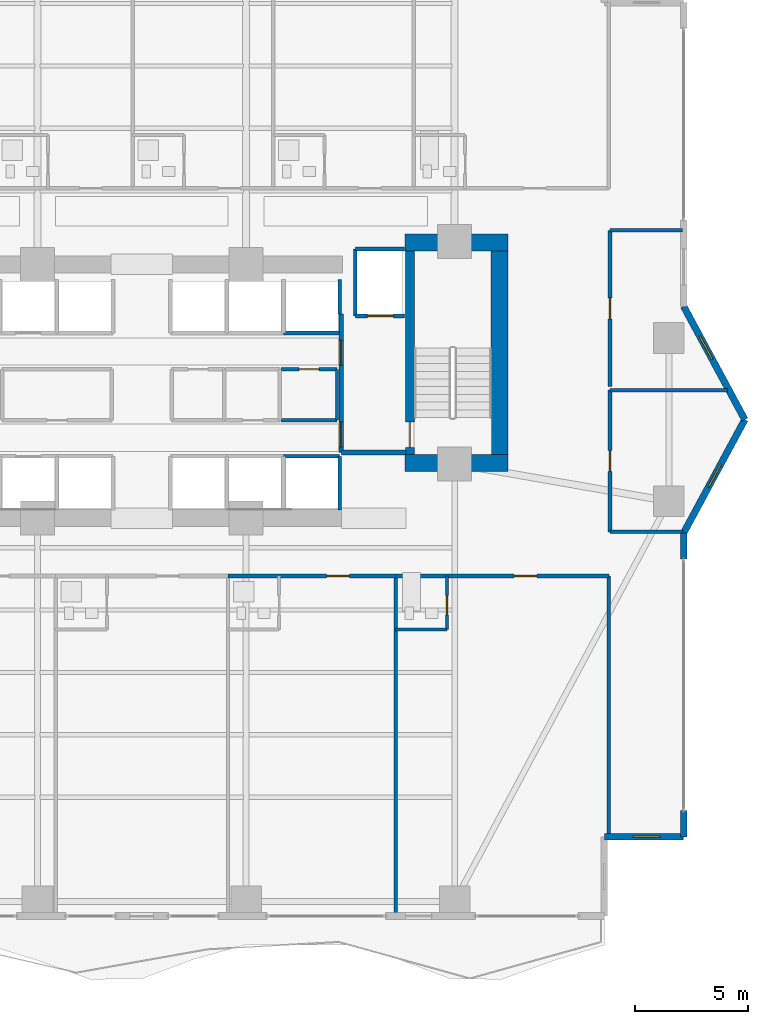
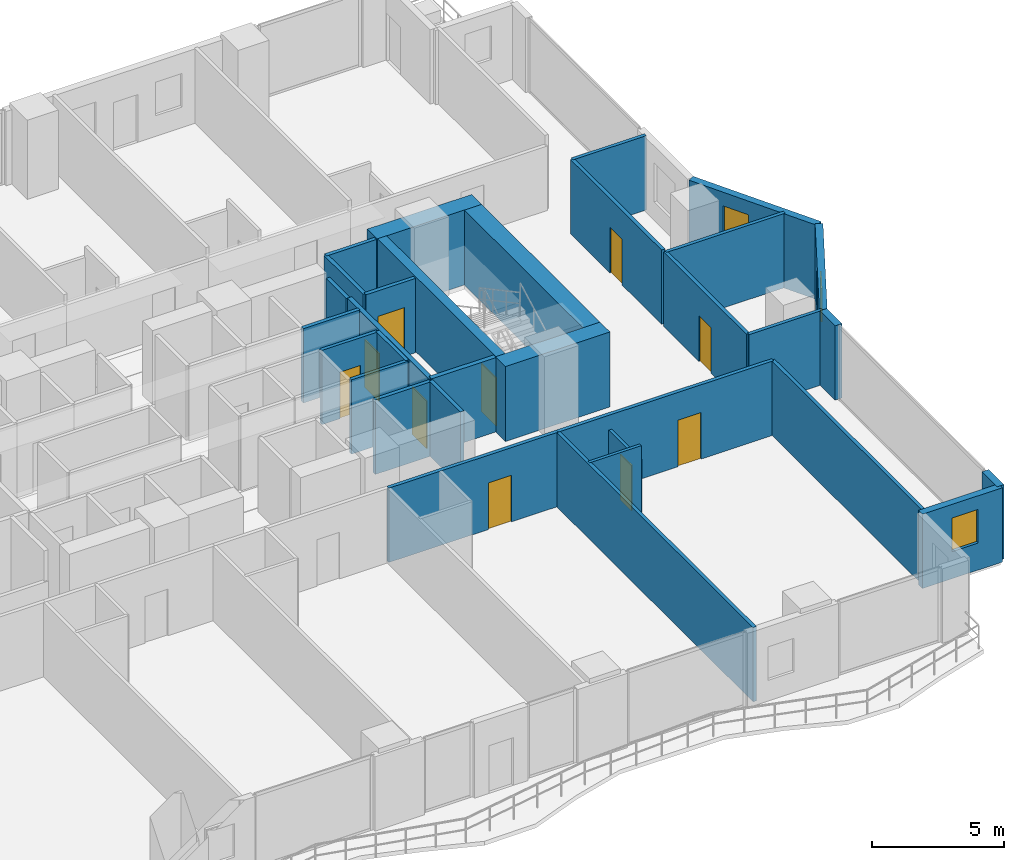
# One storey, part 22 of 28: 32 walls, 10 doors, 3 windows, 13 openings.
"""IFC4 building model written with IfcOpenShell, lengths in metres."""

import ifcopenshell
import ifcopenshell.guid

model = None  # the IFC model being written
_history = None  # IfcOwnerHistory: only IFC2X3 demands one
_inside = {}  # id of a spatial element -> (the spatial element, [elements in it])
_under = {}  # id of a project, library or spatial element -> (it, [spatial elements below it])
_declared = {}  # id of a project -> (the project, [libraries it declares])
_typed = {}  # id of a type object -> (the type object, [elements of that type])
_made_of = {}  # id of a material, layer set ... -> (it, [elements and type objects made of it])


def new_model(schema):
    """Start an empty IFC model of exactly this schema.

    Asked for "IFC4X3", IfcOpenShell would pick the latest addendum, in which some entities
    have other attributes; the version numbers below select the first issue.
    IFC2X3 requires an IfcOwnerHistory on every rooted entity: one is made here for all.
    """
    global model, _history
    if schema == "IFC4X3":
        model = ifcopenshell.file(schema_version=(4, 3, 0, 0))
    else:
        model = ifcopenshell.file(schema=schema)
    _inside.clear()
    _under.clear()
    _declared.clear()
    _typed.clear()
    _made_of.clear()
    _history = None
    if model.schema == "IFC2X3":
        org = make("IfcOrganization", Name="unknown")
        user = make(
            "IfcPersonAndOrganization",
            ThePerson=make("IfcPerson", FamilyName="unknown"),
            TheOrganization=org,
        )
        app = make(
            "IfcApplication",
            ApplicationDeveloper=org,
            Version="unknown",
            ApplicationFullName="unknown",
            ApplicationIdentifier="unknown",
        )
        _history = make(
            "IfcOwnerHistory",
            OwningUser=user,
            OwningApplication=app,
            ChangeAction="ADDED",
            CreationDate=0,
        )
    return model


def make(cls, **values):
    """One entity of the class cls with the attributes given. An attribute that is None is left unset."""
    return model.create_entity(
        cls, **{name: value for name, value in values.items() if value is not None}
    )


def rooted(cls, **values):
    """An entity with a GlobalId (a new one), such as an element, a storey or a relation."""
    return make(cls, GlobalId=ifcopenshell.guid.new(), OwnerHistory=_history, **values)


def si_unit(unit_type, name, prefix=None):
    """IfcSIUnit, for example si_unit("LENGTHUNIT", "METRE", prefix="MILLI")."""
    return make("IfcSIUnit", UnitType=unit_type, Prefix=prefix, Name=name)


def assignment(units):
    """IfcUnitAssignment: the units of a project."""
    return None if units is None else make("IfcUnitAssignment", Units=units)


def point(xyz):
    """IfcCartesianPoint."""
    return None if xyz is None else make("IfcCartesianPoint", Coordinates=xyz)


def direction(xyz):
    """IfcDirection."""
    return None if xyz is None else make("IfcDirection", DirectionRatios=xyz)


def frame(location, z_axis=None, x_axis=None):
    """IfcAxis2Placement3D, a coordinate frame: its origin and axes. An axis left out is left unset."""
    return make(
        "IfcAxis2Placement3D",
        Location=point(location),
        Axis=direction(z_axis),
        RefDirection=direction(x_axis),
    )


def frame_2d(location, x_axis=None):
    """IfcAxis2Placement2D, a coordinate frame in the plane: its origin and x axis."""
    return make(
        "IfcAxis2Placement2D", Location=point(location), RefDirection=direction(x_axis)
    )


def origin():
    """The frame at (0, 0, 0) with its axes left unset."""
    return frame((0.0, 0.0, 0.0))


def place(relative_to, where):
    """IfcLocalPlacement: puts the frame where relative to a parent placement (None: the world)."""
    return make(
        "IfcLocalPlacement", PlacementRelTo=relative_to, RelativePlacement=where
    )


def context(
    kind, dimensions, precision=None, world=None, true_north=None, identifier=None
):
    """IfcGeometricRepresentationContext, for example the 3D "Model" context."""
    return make(
        "IfcGeometricRepresentationContext",
        ContextIdentifier=identifier,
        ContextType=kind,
        CoordinateSpaceDimension=dimensions,
        Precision=precision,
        WorldCoordinateSystem=world,
        TrueNorth=true_north,
    )


def subcontext(parent, identifier, kind, view, scale=None):
    """IfcGeometricRepresentationSubContext, for example "Body" below "Model"."""
    return make(
        "IfcGeometricRepresentationSubContext",
        ContextIdentifier=identifier,
        ContextType=kind,
        ParentContext=parent,
        TargetScale=scale,
        TargetView=view,
    )


def project(units=None, contexts=None):
    """IfcProject with its units and contexts."""
    return rooted(
        "IfcProject",
        Name="project",
        RepresentationContexts=contexts,
        UnitsInContext=assignment(units),
    )


def spatial(cls, under=None, at=None, **own):
    """A site, building, storey or space (cls), placed at a placement, below another one or the project."""
    s = rooted(cls, ObjectPlacement=at, **own)
    if under is not None:
        _under.setdefault(under.id(), (under, []))[1].append(s)
    return s


def profile(cls, at=None, kind="AREA", **sizes):
    """A parametric profile (cls). Its sizes go by their IFC names, for example OverallWidth=200.0."""
    return make(cls, ProfileType=kind, Position=at, **sizes)


def rectangle(**sizes):
    """IfcRectangleProfileDef."""
    return profile("IfcRectangleProfileDef", **sizes)


def extrude(swept, where, along, depth):
    """IfcExtrudedAreaSolid: the profile swept, set in the frame where, extruded along a direction by depth."""
    return make(
        "IfcExtrudedAreaSolid",
        SweptArea=swept,
        Position=where,
        ExtrudedDirection=direction(along),
        Depth=depth,
    )


def shape(context_of_items, identifier, shape_type, items):
    """IfcShapeRepresentation: the items that make up one representation, for example the "Body"."""
    return make(
        "IfcShapeRepresentation",
        ContextOfItems=context_of_items,
        RepresentationIdentifier=identifier,
        RepresentationType=shape_type,
        Items=items,
    )


def material(Name=None, Category=None):
    """IfcMaterial."""
    return make("IfcMaterial", Name=Name, Category=Category)


def layer(
    of_material, thickness, ventilated=None, Name=None, Category=None, Priority=None
):
    """IfcMaterialLayer: one layer of a wall or slab, of a material (None: an air gap)."""
    return make(
        "IfcMaterialLayer",
        Material=of_material,
        LayerThickness=thickness,
        IsVentilated=ventilated,
        Name=Name,
        Category=Category,
        Priority=Priority,
    )


def layer_set(layers, Name=None):
    """IfcMaterialLayerSet."""
    return make("IfcMaterialLayerSet", MaterialLayers=layers, LayerSetName=Name)


def made_of(thing, what):
    """Note that an element or type object is made of a material, layer set ...; save() writes the relation."""
    if what is not None:
        _made_of.setdefault(what.id(), (what, []))[1].append(thing)
    return thing


def type_object(cls, material=None, **own):
    """A type object (cls), such as IfcWallType, which elements share."""
    return made_of(rooted(cls, **own), material)


def element(
    cls,
    number,
    at=None,
    inside=None,
    cuts=None,
    type_object=None,
    material=None,
    context=None,
    identifier="Body",
    shape_type=None,
    held_by="IfcProductDefinitionShape",
    body=None,
    shapes=None,
    **own,
):
    """One element of the class cls, such as IfcWall. Its Tag is "e" and its number.

    at: its placement. inside: the storey or other place that contains it. cuts: it is an
    opening in that element (IfcRelVoidsElement). A single representation is given by context,
    identifier, shape_type and body (its items); several are given by shapes. held_by: the class
    of the entity that holds the representations. save() writes the other relations.
    """
    e = rooted(cls, Tag="e%d" % number, ObjectPlacement=at, **own)
    if body is not None:
        shapes = [shape(context, identifier, shape_type, body)]
    if shapes is not None:
        e.Representation = make(held_by, Representations=shapes)
    if inside is not None:
        _inside.setdefault(inside.id(), (inside, []))[1].append(e)
    if cuts is not None:
        rooted(
            "IfcRelVoidsElement", RelatingBuildingElement=cuts, RelatedOpeningElement=e
        )
    if type_object is not None:
        _typed.setdefault(type_object.id(), (type_object, []))[1].append(e)
    return made_of(e, material)


def fill(opening, filler):
    """IfcRelFillsElement: the door or window that sits in an opening."""
    return rooted(
        "IfcRelFillsElement",
        RelatingOpeningElement=opening,
        RelatedBuildingElement=filler,
    )


def aggregate(whole, parts):
    """IfcRelAggregates: a whole, such as a stair, and the parts it consists of."""
    return rooted("IfcRelAggregates", RelatingObject=whole, RelatedObjects=parts)


def save(model, path):
    """Write the relations noted so far, then the file.

    IfcRelAggregates (storeys below a building ...), IfcRelContainedInSpatialStructure (elements
    in a storey), IfcRelDefinesByType, IfcRelAssociatesMaterial and IfcRelDeclares: one each for
    every whole, place, type object, material and project.
    """
    for whole, parts in _under.values():
        aggregate(whole, parts)
    for where, things in _inside.values():
        rooted(
            "IfcRelContainedInSpatialStructure",
            RelatedElements=things,
            RelatingStructure=where,
        )
    for kind, things in _typed.values():
        rooted("IfcRelDefinesByType", RelatedObjects=things, RelatingType=kind)
    for what, things in _made_of.values():
        rooted("IfcRelAssociatesMaterial", RelatedObjects=things, RelatingMaterial=what)
    for by, libraries in _declared.values():
        rooted("IfcRelDeclares", RelatingContext=by, RelatedDefinitions=libraries)
    model.write(path)


model = new_model("IFC4")

# Units and contexts
model_context = context("Model", 3, precision=1e-05, world=origin(), true_north=direction((0.0, 1.0)))
body_context = subcontext(model_context, "Body", "Model", "MODEL_VIEW")
ifc_project = project(units=[si_unit("LENGTHUNIT", "METRE"), si_unit("AREAUNIT", "SQUARE_METRE"), si_unit("VOLUMEUNIT", "CUBIC_METRE"), si_unit("PLANEANGLEUNIT", "RADIAN"), si_unit("MASSUNIT", "GRAM", prefix="KILO")], contexts=[model_context])

# Site, building, storey
site_placement = place(None, origin())
site = spatial("IfcSite", under=ifc_project, at=site_placement, CompositionType="ELEMENT")
building_placement = place(site_placement, origin())
building = spatial("IfcBuilding", under=site, at=building_placement, Name="Zuhayl Quay Hotel", CompositionType="ELEMENT")
storey_placement = place(building_placement, frame((0.0, 0.0, 99.300048828125)))
storey = spatial("IfcBuildingStorey", under=building, at=storey_placement, Name="L24", CompositionType="ELEMENT", Elevation=99.300048828125)

# Walls
ifc_material_1 = material(Name="Concrete C60/75", Category="concrete")
ifc_layer_1 = layer(ifc_material_1, 0.75, Name="Concrete C60/75", Category="concrete")
ifc_layer_set_1 = layer_set([ifc_layer_1], Name="Concrete C60/75")
wall_type_1 = type_object("IfcWallType", Name="WL_CORE_750", PredefinedType="SHEAR", material=ifc_layer_set_1)
wall_1_placement = place(storey_placement, frame((11.60009765625, 14.304931640625, 0.0), z_axis=(0.0, 0.0, 1.0), x_axis=(1.0, 0.0, 0.0)))
element("IfcWall", 1, at=wall_1_placement, inside=storey, type_object=wall_type_1, Name="L24 Core Shear Wall CW_NE", PredefinedType="SHEAR", context=body_context, shape_type="SweptSolid", body=[
    extrude(rectangle(XDim=4.559814453125, YDim=0.75, at=frame_2d((2.27978515625, 0.0))), origin(), (0.0, 0.0, 1.0), 3.4599609375),
])
wall_2_placement = place(storey_placement, frame((15.784912109375, 4.969970703125, 0.0), z_axis=(0.0, 0.0, 1.0), x_axis=(0.0, 1.0, 0.0)))
element("IfcWall", 2, at=wall_2_placement, inside=storey, type_object=wall_type_1, Name="L24 Core Shear Wall CW_E", PredefinedType="SHEAR", context=body_context, shape_type="SweptSolid", body=[
    extrude(rectangle(XDim=8.9599609375, YDim=0.75, at=frame_2d((4.47998046875, 0.0))), origin(), (0.0, 0.0, 1.0), 3.4599609375),
])
wall_3_placement = place(storey_placement, frame((11.60009765625, 4.594970703125, 0.0), z_axis=(0.0, 0.0, 1.0), x_axis=(1.0, 0.0, 0.0)))
element("IfcWall", 3, at=wall_3_placement, inside=storey, type_object=wall_type_1, Name="L24 Core Shear Wall CW_SE", PredefinedType="SHEAR", context=body_context, shape_type="SweptSolid", body=[
    extrude(rectangle(XDim=4.559814453125, YDim=0.75, at=frame_2d((2.27978515625, 0.0))), origin(), (0.0, 0.0, 1.0), 3.4599609375),
])

# Wall, opening, window
ifc_material_2 = material(Name="Precast concrete C45/55", Category="concrete")
ifc_layer_2 = layer(ifc_material_2, 0.300048828125, Name="Precast concrete C45/55", Category="concrete")
ifc_layer_set_2 = layer_set([ifc_layer_2], Name="Precast concrete C45/55")
wall_type_2 = type_object("IfcWallType", Name="WL_EXT_300", PredefinedType="STANDARD", material=ifc_layer_set_2)
wall_4_placement = place(storey_placement, frame((23.89990234375, 11.5, 0.0), z_axis=(0.0, 0.0, 1.0), x_axis=(0.475175525499, -0.879891027325, 0.0)))
wall_4 = element("IfcWall", 4, at=wall_4_placement, inside=storey, type_object=wall_type_2, Name="L24 Exterior Precast Wall ENV_L24_EW12", PredefinedType="STANDARD", context=body_context, shape_type="SweptSolid", body=[
    extrude(rectangle(XDim=5.6826171875, YDim=0.300048828125, at=frame_2d((2.84130859375, 0.0))), origin(), (0.0, 0.0, 1.0), 3.429931640625),
])
opening_1_placement = place(wall_4_placement, frame((1.503173828125, 0.0, 1.25)))
opening_1 = element("IfcOpeningElement", 5, at=opening_1_placement, cuts=wall_4, Name="Opening W01N", PredefinedType="OPENING", context=body_context, shape_type="SweptSolid", body=[
    extrude(rectangle(XDim=1.14990234375, YDim=1.550048828125, at=frame_2d((0.574951171875, 0.77490234375))), frame((0.0, 0.159912109375, 0.0), z_axis=(0.0, -1.0, 0.0), x_axis=(1.0, 0.0, 0.0)), (0.0, 0.0, 1.0), 0.320068359375),
])
ifc_material_3 = material(Name="Dark Ceramic-Fritted Solar Glass", Category="glass")
window_type = type_object("IfcWindowType", Name="WN_NOTCH_1350", PartitioningType="SINGLE_PANEL", PredefinedType="WINDOW", material=ifc_material_3)
window_1_placement = place(opening_1_placement, origin())
window_1 = element("IfcWindow", 6, at=window_1_placement, inside=storey, type_object=window_type, Name="L24 Corner Notch Window 12", OverallHeight=1.550048828125, OverallWidth=1.14990234375, PartitioningType="SINGLE_PANEL", PredefinedType="WINDOW", context=body_context, shape_type="SweptSolid", body=[
    extrude(rectangle(XDim=1.14990234375, YDim=1.550048828125, at=frame_2d((0.574951171875, 0.77490234375))), frame((0.0, 0.030029296875, 0.0), z_axis=(0.0, -1.0, 0.0), x_axis=(1.0, 0.0, 0.0)), (0.0, 0.0, 1.0), 0.06005859375),
])
fill(opening_1, window_1)

wall_5_placement = place(storey_placement, frame((26.60009765625, 6.5, 0.0), z_axis=(0.0, 0.0, 1.0), x_axis=(-0.475175525499, -0.879891027325, 0.0)))
wall_5 = element("IfcWall", 7, at=wall_5_placement, inside=storey, type_object=wall_type_2, Name="L24 Exterior Precast Wall ENV_L24_EW13", PredefinedType="STANDARD", context=body_context, shape_type="SweptSolid", body=[
    extrude(rectangle(XDim=5.6826171875, YDim=0.300048828125, at=frame_2d((2.84130859375, 0.0))), origin(), (0.0, 0.0, 1.0), 3.429931640625),
])
opening_2_placement = place(wall_5_placement, frame((2.2421875, 0.0, 1.25)))
opening_2 = element("IfcOpeningElement", 8, at=opening_2_placement, cuts=wall_5, Name="Opening W01N", PredefinedType="OPENING", context=body_context, shape_type="SweptSolid", body=[
    extrude(rectangle(XDim=1.14990234375, YDim=1.550048828125, at=frame_2d((0.574951171875, 0.77490234375))), frame((0.0, 0.159912109375, 0.0), z_axis=(0.0, -1.0, 0.0), x_axis=(1.0, 0.0, 0.0)), (0.0, 0.0, 1.0), 0.320068359375),
])
window_2_placement = place(opening_2_placement, origin())
window_2 = element("IfcWindow", 9, at=window_2_placement, inside=storey, type_object=window_type, Name="L24 Corner Notch Window 13", OverallHeight=1.550048828125, OverallWidth=1.14990234375, PartitioningType="SINGLE_PANEL", PredefinedType="WINDOW", context=body_context, shape_type="SweptSolid", body=[
    extrude(rectangle(XDim=1.14990234375, YDim=1.550048828125, at=frame_2d((0.574951171875, 0.77490234375))), frame((0.0, 0.030029296875, 0.0), z_axis=(0.0, -1.0, 0.0), x_axis=(1.0, 0.0, 0.0)), (0.0, 0.0, 1.0), 0.06005859375),
])
fill(opening_2, window_2)

# Walls
for number, where, z_axis, x_axis, name in (
    (10, (23.89990234375, 1.5, 0.0), (0.0, 0.0, 1.0), (0.0, -1.0, 0.0), "L24 Exterior Precast Wall ENV_L24_E14_EW1"),
    (11, (23.89990234375, -10.75, 0.0), (0.0, 0.0, 1.0), (0.0, -1.0, 0.0), "L24 Exterior Precast Wall ENV_L24_E14_EW2"),
):
    element("IfcWall", number, at=place(storey_placement, frame(where, z_axis=z_axis, x_axis=x_axis)), inside=storey, type_object=wall_type_2, Name=name, PredefinedType="STANDARD", context=body_context, shape_type="SweptSolid", body=[
        extrude(rectangle(XDim=1.14990234375, YDim=0.300048828125, at=frame_2d((0.574951171875, 0.0))), origin(), (0.0, 0.0, 1.0), 3.429931640625),
    ])

# Wall, opening, window
wall_6_placement = place(storey_placement, frame((23.89990234375, -11.89990234375, 0.0), z_axis=(0.0, 0.0, 1.0), x_axis=(-1.0, 0.0, 0.0)))
wall_6 = element("IfcWall", 12, at=wall_6_placement, inside=storey, type_object=wall_type_2, Name="L24 Exterior Precast Wall ENV_L24_EW15", PredefinedType="STANDARD", context=body_context, shape_type="SweptSolid", body=[
    extrude(rectangle(XDim=3.5, YDim=0.300048828125, at=frame_2d((1.75, 0.0))), origin(), (0.0, 0.0, 1.0), 3.429931640625),
])
opening_3_placement = place(wall_6_placement, frame((1.06494140625, 0.0, 1.25)))
opening_3 = element("IfcOpeningElement", 13, at=opening_3_placement, cuts=wall_6, Name="Opening W01N", PredefinedType="OPENING", context=body_context, shape_type="SweptSolid", body=[
    extrude(rectangle(XDim=1.14990234375, YDim=1.550048828125, at=frame_2d((0.574951171875, 0.77490234375))), frame((0.0, 0.159912109375, 0.0), z_axis=(0.0, -1.0, 0.0), x_axis=(1.0, 0.0, 0.0)), (0.0, 0.0, 1.0), 0.320068359375),
])
window_3_placement = place(opening_3_placement, origin())
window_3 = element("IfcWindow", 14, at=window_3_placement, inside=storey, type_object=window_type, Name="L24 Corner Notch Window 15", OverallHeight=1.550048828125, OverallWidth=1.14990234375, PartitioningType="SINGLE_PANEL", PredefinedType="WINDOW", context=body_context, shape_type="SweptSolid", body=[
    extrude(rectangle(XDim=1.14990234375, YDim=1.550048828125, at=frame_2d((0.574951171875, 0.77490234375))), frame((0.0, 0.030029296875, 0.0), z_axis=(0.0, -1.0, 0.0), x_axis=(1.0, 0.0, 0.0)), (0.0, 0.0, 1.0), 0.06005859375),
])
fill(opening_3, window_3)

# Wall, opening, door
ifc_material_4 = material(Name="Acoustic Gypsum Partition STC-58")
ifc_layer_3 = layer(ifc_material_4, 0.14990234375, Name="Acoustic Gypsum Partition STC-58")
ifc_layer_set_3 = layer_set([ifc_layer_3], Name="Acoustic Gypsum Partition STC-58")
wall_type_3 = type_object("IfcWallType", Name="WL_PART_150", PredefinedType="PARTITIONING", material=ifc_layer_set_3)
wall_7_placement = place(storey_placement, frame((6.139892578125, 8.719970703125, 0.0), z_axis=(0.0, 0.0, 1.0), x_axis=(1.0, 0.0, 0.0)))
wall_7 = element("IfcWall", 15, at=wall_7_placement, inside=storey, type_object=wall_type_3, Name="L24 Partition IW_L24_CORE_E3_N", PredefinedType="PARTITIONING", context=body_context, shape_type="SweptSolid", body=[
    extrude(rectangle(XDim=2.47021484375, YDim=0.14990234375, at=frame_2d((1.235107421875, 0.0))), origin(), (0.0, 0.0, 1.0), 3.429931640625),
])
opening_4_placement = place(wall_7_placement, frame((0.784912109375, 0.0, 0.0)))
opening_4 = element("IfcOpeningElement", 16, at=opening_4_placement, cuts=wall_7, Name="Opening D06", PredefinedType="OPENING", context=body_context, shape_type="SweptSolid", body=[
    extrude(rectangle(XDim=0.89990234375, YDim=2.14990234375, at=frame_2d((0.449951171875, 1.074951171875))), frame((0.0, 0.0849609375, 0.0), z_axis=(0.0, -1.0, 0.0), x_axis=(1.0, 0.0, 0.0)), (0.0, 0.0, 1.0), 0.169921875),
])
ifc_material_5 = material(Name="Steel ASTM A992 Grade 50", Category="steel")
door_type_1 = type_object("IfcDoorType", Name="DR_INT_900", OperationType="NOTDEFINED", PredefinedType="DOOR", material=ifc_material_5)
door_1_placement = place(opening_4_placement, origin())
door_1 = element("IfcDoor", 17, at=door_1_placement, inside=storey, type_object=door_type_1, Name="L24 Janitor and Cleaners Store Door", OperationType="SINGLE_SWING_LEFT", OverallHeight=2.14990234375, OverallWidth=0.89990234375, PredefinedType="DOOR", context=body_context, shape_type="SweptSolid", body=[
    extrude(rectangle(XDim=0.89990234375, YDim=2.14990234375, at=frame_2d((0.449951171875, 1.074951171875))), frame((0.0, 0.02490234375, 0.0), z_axis=(0.0, -1.0, 0.0), x_axis=(1.0, 0.0, 0.0)), (0.0, 0.0, 1.0), 0.050048828125),
])
fill(opening_4, door_1)

# Walls
wall_8_placement = place(storey_placement, frame((6.139892578125, 6.47998046875, 0.0), z_axis=(0.0, 0.0, 1.0), x_axis=(1.0, 0.0, 0.0)))
element("IfcWall", 18, at=wall_8_placement, inside=storey, type_object=wall_type_3, Name="L24 Partition IW_L24_CORE_E3_S", PredefinedType="PARTITIONING", context=body_context, shape_type="SweptSolid", body=[
    extrude(rectangle(XDim=2.47021484375, YDim=0.14990234375, at=frame_2d((1.235107421875, 0.0))), origin(), (0.0, 0.0, 1.0), 3.429931640625),
])
wall_9_placement = place(storey_placement, frame((8.610107421875, 6.47998046875, 0.0), z_axis=(0.0, 0.0, 1.0), x_axis=(0.0, 1.0, 0.0)))
element("IfcWall", 19, at=wall_9_placement, inside=storey, type_object=wall_type_3, Name="L24 Partition IW_L24_CORE_E3_E", PredefinedType="PARTITIONING", context=body_context, shape_type="SweptSolid", body=[
    extrude(rectangle(XDim=2.239990234375, YDim=0.14990234375, at=frame_2d((1.1201171875, 0.0))), origin(), (0.0, 0.0, 1.0), 3.429931640625),
])
wall_10_placement = place(storey_placement, frame((11.199951171875, -15.320068359375, 0.0), z_axis=(0.0, 0.0, 1.0), x_axis=(0.0, 1.0, 0.0)))
element("IfcWall", 20, at=wall_10_placement, inside=storey, type_object=wall_type_3, Name="L24 Partition IW_L24_SU04_E", PredefinedType="PARTITIONING", context=body_context, shape_type="SweptSolid", body=[
    extrude(rectangle(XDim=14.920166015625, YDim=0.14990234375, at=frame_2d((7.4599609375, 0.0))), origin(), (0.0, 0.0, 1.0), 3.429931640625),
])
wall_11_placement = place(storey_placement, frame((20.60009765625, -11.89990234375, 0.0), z_axis=(0.0, 0.0, 1.0), x_axis=(0.0, 1.0, 0.0)))
element("IfcWall", 21, at=wall_11_placement, inside=storey, type_object=wall_type_3, Name="L24 Partition IW_L24_SU05_E", PredefinedType="PARTITIONING", context=body_context, shape_type="SweptSolid", body=[
    extrude(rectangle(XDim=11.5, YDim=0.14990234375, at=frame_2d((5.75, 0.0))), origin(), (0.0, 0.0, 1.0), 3.429931640625),
])
wall_12_placement = place(storey_placement, frame((20.64990234375, 1.550048828125, 0.0), z_axis=(0.0, 0.0, 1.0), x_axis=(1.0, 0.0, 0.0)))
element("IfcWall", 22, at=wall_12_placement, inside=storey, type_object=wall_type_3, Name="L24 Partition IW_L24_HK_MAIN_S", PredefinedType="PARTITIONING", context=body_context, shape_type="SweptSolid", body=[
    extrude(rectangle(XDim=3.217041015625, YDim=0.14990234375, at=frame_2d((1.6083984375, 0.0))), origin(), (0.0, 0.0, 1.0), 3.429931640625),
])
wall_13_placement = place(storey_placement, frame((20.64990234375, 7.800048828125, 0.0), z_axis=(0.0, 0.0, 1.0), x_axis=(1.0, 0.0, 0.0)))
element("IfcWall", 23, at=wall_13_placement, inside=storey, type_object=wall_type_3, Name="L24 Partition IW_L24_HK_MAIN_N", PredefinedType="PARTITIONING", context=body_context, shape_type="SweptSolid", body=[
    extrude(rectangle(XDim=5.18798828125, YDim=0.14990234375, at=frame_2d((2.593994140625, 0.0))), origin(), (0.0, 0.0, 1.0), 3.429931640625),
])
wall_14_placement = place(storey_placement, frame((20.64990234375, 14.85009765625, 0.0), z_axis=(0.0, 0.0, 1.0), x_axis=(1.0, 0.0, 0.0)))
element("IfcWall", 24, at=wall_14_placement, inside=storey, type_object=wall_type_3, Name="L24 Partition IW_L24_EFLK_2_N", PredefinedType="PARTITIONING", context=body_context, shape_type="SweptSolid", body=[
    extrude(rectangle(XDim=3.190185546875, YDim=0.14990234375, at=frame_2d((1.59521484375, 0.0))), origin(), (0.0, 0.0, 1.0), 3.429931640625),
])

# Wall, opening, door
ifc_layer_4 = layer(ifc_material_4, 0.159912109375, Name="Acoustic Gypsum Partition STC-58")
ifc_layer_set_4 = layer_set([ifc_layer_4], Name="Acoustic Gypsum Partition STC-58")
wall_type_4 = type_object("IfcWallType", Name="WL_PART_CORR_160", PredefinedType="PARTITIONING", material=ifc_layer_set_4)
wall_15_placement = place(storey_placement, frame((3.800048828125, -0.39990234375, 0.0), z_axis=(0.0, 0.0, 1.0), x_axis=(1.0, 0.0, 0.0)))
wall_15 = element("IfcWall", 25, at=wall_15_placement, inside=storey, type_object=wall_type_4, Name="L24 Partition IW_L24_SU04_COR", PredefinedType="PARTITIONING", context=body_context, shape_type="SweptSolid", body=[
    extrude(rectangle(XDim=7.39990234375, YDim=0.159912109375, at=frame_2d((3.699951171875, 0.0))), origin(), (0.0, 0.0, 1.0), 3.429931640625),
])
opening_5_placement = place(wall_15_placement, frame((4.35009765625, 0.0, 0.0)))
opening_5 = element("IfcOpeningElement", 26, at=opening_5_placement, cuts=wall_15, Name="Opening D03L", PredefinedType="OPENING", context=body_context, shape_type="SweptSolid", body=[
    extrude(rectangle(XDim=1.0, YDim=2.14990234375, at=frame_2d((0.5, 1.074951171875))), frame((0.0, 0.08984375, 0.0), z_axis=(0.0, -1.0, 0.0), x_axis=(1.0, 0.0, 0.0)), (0.0, 0.0, 1.0), 0.179931640625),
])
ifc_material_6 = material(Name="Solid Walnut Acoustic Fire Door")
door_type_2 = type_object("IfcDoorType", Name="DR_SUITE_1000", OperationType="NOTDEFINED", PredefinedType="DOOR", material=ifc_material_6)
door_2_placement = place(opening_5_placement, origin())
door_2 = element("IfcDoor", 27, at=door_2_placement, inside=storey, type_object=door_type_2, Name="L24 City-View Junior Suite L24-04 Entrance Door", OperationType="SINGLE_SWING_LEFT", OverallHeight=2.14990234375, OverallWidth=1.0, PredefinedType="DOOR", context=body_context, shape_type="SweptSolid", body=[
    extrude(rectangle(XDim=1.0, YDim=2.14990234375, at=frame_2d((0.5, 1.074951171875))), frame((0.0, 0.02490234375, 0.0), z_axis=(0.0, -1.0, 0.0), x_axis=(1.0, 0.0, 0.0)), (0.0, 0.0, 1.0), 0.050048828125),
])
fill(opening_5, door_2)

wall_16_placement = place(storey_placement, frame((11.199951171875, -0.39990234375, 0.0), z_axis=(0.0, 0.0, 1.0), x_axis=(1.0, 0.0, 0.0)))
wall_16 = element("IfcWall", 28, at=wall_16_placement, inside=storey, type_object=wall_type_4, Name="L24 Partition IW_L24_SU05_COR", PredefinedType="PARTITIONING", context=body_context, shape_type="SweptSolid", body=[
    extrude(rectangle(XDim=9.400146484375, YDim=0.159912109375, at=frame_2d((4.7001953125, 0.0))), origin(), (0.0, 0.0, 1.0), 3.429931640625),
])
opening_6_placement = place(wall_16_placement, frame((5.22509765625, 0.0, 0.0)))
opening_6 = element("IfcOpeningElement", 29, at=opening_6_placement, cuts=wall_16, Name="Opening D03L", PredefinedType="OPENING", context=body_context, shape_type="SweptSolid", body=[
    extrude(rectangle(XDim=1.0, YDim=2.14990234375, at=frame_2d((0.5, 1.074951171875))), frame((0.0, 0.08984375, 0.0), z_axis=(0.0, -1.0, 0.0), x_axis=(1.0, 0.0, 0.0)), (0.0, 0.0, 1.0), 0.179931640625),
])
door_3_placement = place(opening_6_placement, origin())
door_3 = element("IfcDoor", 30, at=door_3_placement, inside=storey, type_object=door_type_2, Name="L24 City-View Junior Suite L24-05 Entrance Door", OperationType="SINGLE_SWING_LEFT", OverallHeight=2.14990234375, OverallWidth=1.0, PredefinedType="DOOR", context=body_context, shape_type="SweptSolid", body=[
    extrude(rectangle(XDim=1.0, YDim=2.14990234375, at=frame_2d((0.5, 1.074951171875))), frame((0.0, 0.02490234375, 0.0), z_axis=(0.0, -1.0, 0.0), x_axis=(1.0, 0.0, 0.0)), (0.0, 0.0, 1.0), 0.050048828125),
])
fill(opening_6, door_3)

wall_17_placement = place(storey_placement, frame((20.64990234375, 1.550048828125, 0.0), z_axis=(0.0, 0.0, 1.0), x_axis=(0.0, 1.0, 0.0)))
wall_17 = element("IfcWall", 31, at=wall_17_placement, inside=storey, type_object=wall_type_4, Name="L24 Partition IW_L24_HK_MAIN_W", PredefinedType="PARTITIONING", context=body_context, shape_type="SweptSolid", body=[
    extrude(rectangle(XDim=6.25, YDim=0.159912109375, at=frame_2d((3.125, 0.0))), origin(), (0.0, 0.0, 1.0), 3.429931640625),
])
opening_7_placement = place(wall_17_placement, frame((2.6650390625, 0.0, 0.0)))
opening_7 = element("IfcOpeningElement", 32, at=opening_7_placement, cuts=wall_17, Name="Opening D05", PredefinedType="OPENING", context=body_context, shape_type="SweptSolid", body=[
    extrude(rectangle(XDim=0.919921875, YDim=2.1201171875, at=frame_2d((0.4599609375, 1.06005859375))), frame((0.0, 0.08984375, 0.0), z_axis=(0.0, -1.0, 0.0), x_axis=(1.0, 0.0, 0.0)), (0.0, 0.0, 1.0), 0.179931640625),
])
door_type_3 = type_object("IfcDoorType", Name="DR_INT_950", OperationType="NOTDEFINED", PredefinedType="DOOR", material=ifc_material_6)
door_4_placement = place(opening_7_placement, origin())
door_4 = element("IfcDoor", 33, at=door_4_placement, inside=storey, type_object=door_type_3, Name="L24 Housekeeping and Linen Room Door", OperationType="SINGLE_SWING_RIGHT", OverallHeight=2.1201171875, OverallWidth=0.919921875, PredefinedType="DOOR", context=body_context, shape_type="SweptSolid", body=[
    extrude(rectangle(XDim=0.919921875, YDim=2.1201171875, at=frame_2d((0.4599609375, 1.06005859375))), frame((0.0, 0.02490234375, 0.0), z_axis=(0.0, -1.0, 0.0), x_axis=(1.0, 0.0, 0.0)), (0.0, 0.0, 1.0), 0.050048828125),
])
fill(opening_7, door_4)

wall_18_placement = place(storey_placement, frame((20.64990234375, 7.9599609375, 0.0), z_axis=(0.0, 0.0, 1.0), x_axis=(0.0, 1.0, 0.0)))
wall_18 = element("IfcWall", 34, at=wall_18_placement, inside=storey, type_object=wall_type_4, Name="L24 Partition IW_L24_EFLK_2_W", PredefinedType="PARTITIONING", context=body_context, shape_type="SweptSolid", body=[
    extrude(rectangle(XDim=6.89013671875, YDim=0.159912109375, at=frame_2d((3.445068359375, 0.0))), origin(), (0.0, 0.0, 1.0), 3.429931640625),
])
opening_8_placement = place(wall_18_placement, frame((2.985107421875, 0.0, 0.0)))
opening_8 = element("IfcOpeningElement", 35, at=opening_8_placement, cuts=wall_18, Name="Opening D05", PredefinedType="OPENING", context=body_context, shape_type="SweptSolid", body=[
    extrude(rectangle(XDim=0.919921875, YDim=2.1201171875, at=frame_2d((0.4599609375, 1.06005859375))), frame((0.0, 0.08984375, 0.0), z_axis=(0.0, -1.0, 0.0), x_axis=(1.0, 0.0, 0.0)), (0.0, 0.0, 1.0), 0.179931640625),
])
door_5_placement = place(opening_8_placement, origin())
door_5 = element("IfcDoor", 36, at=door_5_placement, inside=storey, type_object=door_type_3, Name="L24 Floor Beverage and Ice Pantry Door", OperationType="SINGLE_SWING_LEFT", OverallHeight=2.1201171875, OverallWidth=0.919921875, PredefinedType="DOOR", context=body_context, shape_type="SweptSolid", body=[
    extrude(rectangle(XDim=0.919921875, YDim=2.1201171875, at=frame_2d((0.4599609375, 1.06005859375))), frame((0.0, 0.02490234375, 0.0), z_axis=(0.0, -1.0, 0.0), x_axis=(1.0, 0.0, 0.0)), (0.0, 0.0, 1.0), 0.050048828125),
])
fill(opening_8, door_5)

ifc_material_7 = material(Name="Moisture-Resistant Sanitarychase Gypsum")
ifc_layer_5 = layer(ifc_material_7, 0.135009765625, Name="Moisture-Resistant Sanitarychase Gypsum")
ifc_layer_set_5 = layer_set([ifc_layer_5], Name="Moisture-Resistant Sanitarychase Gypsum")
wall_type_5 = type_object("IfcWallType", Name="WL_PART_PLUMB_150", PredefinedType="PLUMBINGWALL", material=ifc_layer_set_5)
wall_19_placement = place(storey_placement, frame((13.4599609375, -2.760009765625, 0.0), z_axis=(0.0, 0.0, 1.0), x_axis=(0.0, 1.0, 0.0)))
wall_19 = element("IfcWall", 37, at=wall_19_placement, inside=storey, type_object=wall_type_5, Name="L24 Partition IW_L24_SU05_BE", PredefinedType="PLUMBINGWALL", context=body_context, shape_type="SweptSolid", body=[
    extrude(rectangle(XDim=2.360107421875, YDim=0.135009765625, at=frame_2d((1.18017578125, 0.0))), origin(), (0.0, 0.0, 1.0), 2.7470703125),
])
opening_9_placement = place(wall_19_placement, frame((0.64990234375, 0.0, 0.0)))
opening_9 = element("IfcOpeningElement", 38, at=opening_9_placement, cuts=wall_19, Name="Opening D04", PredefinedType="OPENING", context=body_context, shape_type="SweptSolid", body=[
    extrude(rectangle(XDim=0.85009765625, YDim=2.10009765625, at=frame_2d((0.425048828125, 1.050048828125))), frame((0.0, 0.077392578125, 0.0), z_axis=(0.0, -1.0, 0.0), x_axis=(1.0, 0.0, 0.0)), (0.0, 0.0, 1.0), 0.155029296875),
])
ifc_material_8 = material(Name="Moisture-Resistant Walnut Veneer")
door_type_4 = type_object("IfcDoorType", Name="DR_BATH_850", OperationType="NOTDEFINED", PredefinedType="DOOR", material=ifc_material_8)
door_6_placement = place(opening_9_placement, origin())
door_6 = element("IfcDoor", 39, at=door_6_placement, inside=storey, type_object=door_type_4, Name="L24 City-View Junior Suite L24-05 En-Suite Door", OperationType="SINGLE_SWING_RIGHT", OverallHeight=2.10009765625, OverallWidth=0.85009765625, PredefinedType="DOOR", context=body_context, shape_type="SweptSolid", body=[
    extrude(rectangle(XDim=0.85009765625, YDim=2.10009765625, at=frame_2d((0.425048828125, 1.050048828125))), frame((0.0, 0.02490234375, 0.0), z_axis=(0.0, -1.0, 0.0), x_axis=(1.0, 0.0, 0.0)), (0.0, 0.0, 1.0), 0.050048828125),
])
fill(opening_9, door_6)

# Wall
wall_20_placement = place(storey_placement, frame((11.199951171875, -2.760009765625, 0.0), z_axis=(0.0, 0.0, 1.0), x_axis=(1.0, 0.0, 0.0)))
element("IfcWall", 40, at=wall_20_placement, inside=storey, type_object=wall_type_5, Name="L24 Partition IW_L24_SU05_BS", PredefinedType="PLUMBINGWALL", context=body_context, shape_type="SweptSolid", body=[
    extrude(rectangle(XDim=2.260009765625, YDim=0.135009765625, at=frame_2d((1.1298828125, 0.0))), origin(), (0.0, 0.0, 1.0), 3.429931640625),
])

# Wall, opening, door
ifc_material_9 = material(Name="Gypsum Fireboard Assembly EI-90")
ifc_layer_6 = layer(ifc_material_9, 0.1650390625, Name="Gypsum Fireboard Assembly EI-90")
ifc_layer_set_6 = layer_set([ifc_layer_6], Name="Gypsum Fireboard Assembly EI-90")
wall_type_6 = type_object("IfcWallType", Name="WL_PART_SHAFT_160", PredefinedType="PARTITIONING", material=ifc_layer_set_6)
wall_21_placement = place(storey_placement, frame((9.419921875, 11.070068359375, 0.0), z_axis=(0.0, 0.0, 1.0), x_axis=(1.0, 0.0, 0.0)))
wall_21 = element("IfcWall", 41, at=wall_21_placement, inside=storey, type_object=wall_type_6, Name="L24 Partition IW_L24_SH_FL2_F", PredefinedType="PARTITIONING", context=body_context, shape_type="SweptSolid", body=[
    extrude(rectangle(XDim=2.16015625, YDim=0.1650390625, at=frame_2d((1.080078125, 0.0))), origin(), (0.0, 0.0, 1.0), 3.429931640625),
])
opening_10_placement = place(wall_21_placement, frame((0.530029296875, 0.0, 0.0)))
opening_10 = element("IfcOpeningElement", 42, at=opening_10_placement, cuts=wall_21, Name="Opening LD2", PredefinedType="OPENING", context=body_context, shape_type="SweptSolid", body=[
    extrude(rectangle(XDim=1.14990234375, YDim=2.25, at=frame_2d((0.574951171875, 1.125))), frame((0.0, 0.092529296875, 0.0), z_axis=(0.0, -1.0, 0.0), x_axis=(1.0, 0.0, 0.0)), (0.0, 0.0, 1.0), 0.18505859375),
])
ifc_material_10 = material(Name="Brushed Stainless Steel", Category="steel")
door_type_5 = type_object("IfcDoorType", Name="DR_LIFT_FF_1100", OperationType="SLIDING_TO_LEFT", PredefinedType="DOOR", material=ifc_material_10)
door_7_placement = place(opening_10_placement, origin())
door_7 = element("IfcDoor", 43, at=door_7_placement, inside=storey, type_object=door_type_5, Name="L24 Lift FL2 Sliding Landing Door", OperationType="SLIDING_TO_LEFT", OverallHeight=2.25, OverallWidth=1.14990234375, PredefinedType="DOOR", context=body_context, shape_type="SweptSolid", body=[
    extrude(rectangle(XDim=1.14990234375, YDim=2.25, at=frame_2d((0.574951171875, 1.125))), frame((0.0, 0.02490234375, 0.0), z_axis=(0.0, -1.0, 0.0), x_axis=(1.0, 0.0, 0.0)), (0.0, 0.0, 1.0), 0.050048828125),
])
fill(opening_10, door_7)

# Walls
wall_22_placement = place(storey_placement, frame((9.419921875, 11.070068359375, 0.0), z_axis=(0.0, 0.0, 1.0), x_axis=(0.0, 1.0, 0.0)))
element("IfcWall", 44, at=wall_22_placement, inside=storey, type_object=wall_type_6, Name="L24 Partition IW_L24_SH_FL2_W", PredefinedType="PARTITIONING", context=body_context, shape_type="SweptSolid", body=[
    extrude(rectangle(XDim=2.9599609375, YDim=0.1650390625, at=frame_2d((1.47998046875, 0.0))), origin(), (0.0, 0.0, 1.0), 3.429931640625),
])
wall_23_placement = place(storey_placement, frame((9.419921875, 14.030029296875, 0.0), z_axis=(0.0, 0.0, 1.0), x_axis=(1.0, 0.0, 0.0)))
element("IfcWall", 45, at=wall_23_placement, inside=storey, type_object=wall_type_6, Name="L24 Partition IW_L24_SH_FL2_B", PredefinedType="PARTITIONING", context=body_context, shape_type="SweptSolid", body=[
    extrude(rectangle(XDim=2.16015625, YDim=0.1650390625, at=frame_2d((1.080078125, 0.0))), origin(), (0.0, 0.0, 1.0), 3.429931640625),
])
wall_24_placement = place(storey_placement, frame((6.25, 4.8798828125, 0.0), z_axis=(0.0, 0.0, 1.0), x_axis=(1.0, 0.0, 0.0)))
element("IfcWall", 46, at=wall_24_placement, inside=storey, type_object=wall_type_6, Name="L24 Partition IW_L24_SH_HP2_F", PredefinedType="PARTITIONING", context=body_context, shape_type="SweptSolid", body=[
    extrude(rectangle(XDim=2.47998046875, YDim=0.1650390625, at=frame_2d((1.239990234375, 0.0))), origin(), (0.0, 0.0, 1.0), 3.429931640625),
])
wall_25_placement = place(storey_placement, frame((8.72998046875, 2.52001953125, 0.0), z_axis=(0.0, 0.0, 1.0), x_axis=(0.0, 1.0, 0.0)))
element("IfcWall", 47, at=wall_25_placement, inside=storey, type_object=wall_type_6, Name="L24 Partition IW_L24_SH_HP2_E", PredefinedType="PARTITIONING", context=body_context, shape_type="SweptSolid", body=[
    extrude(rectangle(XDim=2.35986328125, YDim=0.1650390625, at=frame_2d((1.179931640625, 0.0))), origin(), (0.0, 0.0, 1.0), 3.429931640625),
])
wall_26_placement = place(storey_placement, frame((6.25, 10.320068359375, 0.0), z_axis=(0.0, 0.0, 1.0), x_axis=(1.0, 0.0, 0.0)))
element("IfcWall", 48, at=wall_26_placement, inside=storey, type_object=wall_type_6, Name="L24 Partition IW_L24_SH_HP4_F", PredefinedType="PARTITIONING", context=body_context, shape_type="SweptSolid", body=[
    extrude(rectangle(XDim=2.47998046875, YDim=0.1650390625, at=frame_2d((1.239990234375, 0.0))), origin(), (0.0, 0.0, 1.0), 3.429931640625),
])
wall_27_placement = place(storey_placement, frame((8.72998046875, 11.14990234375, 0.0), z_axis=(0.0, 0.0, 1.0), x_axis=(0.0, 1.0, 0.0)))
element("IfcWall", 49, at=wall_27_placement, inside=storey, type_object=wall_type_6, Name="L24 Partition IW_L24_SH_HP4_E", PredefinedType="PARTITIONING", context=body_context, shape_type="SweptSolid", body=[
    extrude(rectangle(XDim=1.530029296875, YDim=0.1650390625, at=frame_2d((0.76513671875, 0.0))), origin(), (0.0, 0.0, 1.0), 3.429931640625),
])

# Wall, openings, doors
ifc_material_11 = material(Name="Gypsum Fireboard Assembly EI-120")
ifc_layer_7 = layer(ifc_material_11, 0.199951171875, Name="Gypsum Fireboard Assembly EI-120")
ifc_layer_set_7 = layer_set([ifc_layer_7], Name="Gypsum Fireboard Assembly EI-120")
wall_type_7 = type_object("IfcWallType", Name="WL_PART_SHAFT_200", PredefinedType="PARTITIONING", material=ifc_layer_set_7)
wall_28_placement = place(storey_placement, frame((8.800048828125, 11.14990234375, 0.0), z_axis=(0.0, 0.0, 1.0), x_axis=(0.0, -1.0, 0.0)))
wall_28 = element("IfcWall", 50, at=wall_28_placement, inside=storey, type_object=wall_type_7, Name="L24 Partition IW_L24_FSAE_E_W", PredefinedType="PARTITIONING", context=body_context, shape_type="SweptSolid", body=[
    extrude(rectangle(XDim=6.099853515625, YDim=0.199951171875, at=frame_2d((3.0498046875, 0.0))), origin(), (0.0, 0.0, 1.0), 3.429931640625),
])
opening_11_placement = place(wall_28_placement, frame((1.14990234375, 0.0, 0.0)))
opening_11 = element("IfcOpeningElement", 51, at=opening_11_placement, cuts=wall_28, Name="Opening D02", PredefinedType="OPENING", context=body_context, shape_type="SweptSolid", body=[
    extrude(rectangle(XDim=1.10009765625, YDim=2.199951171875, at=frame_2d((0.550048828125, 1.10009765625))), frame((0.0, 0.10986328125, 0.0), z_axis=(0.0, -1.0, 0.0), x_axis=(1.0, 0.0, 0.0)), (0.0, 0.0, 1.0), 0.219970703125),
])
opening_12_placement = place(wall_28_placement, frame((4.75, 0.0, 0.0)))
opening_12 = element("IfcOpeningElement", 52, at=opening_12_placement, cuts=wall_28, Name="Opening D02", PredefinedType="OPENING", context=body_context, shape_type="SweptSolid", body=[
    extrude(rectangle(XDim=1.10009765625, YDim=2.199951171875, at=frame_2d((0.550048828125, 1.10009765625))), frame((0.0, 0.10986328125, 0.0), z_axis=(0.0, -1.0, 0.0), x_axis=(1.0, 0.0, 0.0)), (0.0, 0.0, 1.0), 0.219970703125),
])
door_type_6 = type_object("IfcDoorType", Name="DR_FIRE_90_1100", OperationType="NOTDEFINED", PredefinedType="DOOR", material=ifc_material_5)
door_8_placement = place(opening_11_placement, origin())
door_8 = element("IfcDoor", 53, at=door_8_placement, inside=storey, type_object=door_type_6, Name="L24 FSAE Lobby East North Entry Door", OperationType="SINGLE_SWING_RIGHT", OverallHeight=2.199951171875, OverallWidth=1.10009765625, PredefinedType="DOOR", context=body_context, shape_type="SweptSolid", body=[
    extrude(rectangle(XDim=1.10009765625, YDim=2.199951171875, at=frame_2d((0.550048828125, 1.10009765625))), frame((0.0, 0.02490234375, 0.0), z_axis=(0.0, -1.0, 0.0), x_axis=(1.0, 0.0, 0.0)), (0.0, 0.0, 1.0), 0.050048828125),
])
fill(opening_11, door_8)
door_9_placement = place(opening_12_placement, origin())
door_9 = element("IfcDoor", 54, at=door_9_placement, inside=storey, type_object=door_type_6, Name="L24 FSAE Lobby East South Entry Door", OperationType="SINGLE_SWING_LEFT", OverallHeight=2.199951171875, OverallWidth=1.10009765625, PredefinedType="DOOR", context=body_context, shape_type="SweptSolid", body=[
    extrude(rectangle(XDim=1.10009765625, YDim=2.199951171875, at=frame_2d((0.550048828125, 1.10009765625))), frame((0.0, 0.02490234375, 0.0), z_axis=(0.0, -1.0, 0.0), x_axis=(1.0, 0.0, 0.0)), (0.0, 0.0, 1.0), 0.050048828125),
])
fill(opening_12, door_9)

# Wall
wall_29_placement = place(storey_placement, frame((8.800048828125, 5.050048828125, 0.0), z_axis=(0.0, 0.0, 1.0), x_axis=(1.0, 0.0, 0.0)))
element("IfcWall", 55, at=wall_29_placement, inside=storey, type_object=wall_type_7, Name="L24 Partition IW_L24_FSAE_E_S", PredefinedType="PARTITIONING", context=body_context, shape_type="SweptSolid", body=[
    extrude(rectangle(XDim=2.849853515625, YDim=0.199951171875, at=frame_2d((1.4248046875, 0.0))), origin(), (0.0, 0.0, 1.0), 3.429931640625),
])

# Wall, opening, door
ifc_layer_8 = layer(ifc_material_1, 0.39990234375, Name="Concrete C60/75", Category="concrete")
ifc_layer_set_8 = layer_set([ifc_layer_8], Name="Concrete C60/75")
wall_type_8 = type_object("IfcWallType", Name="WL_STAIR_400", PredefinedType="SHEAR", material=ifc_layer_set_8)
wall_30_placement = place(storey_placement, frame((11.820068359375, 13.929931640625, 0.0), z_axis=(0.0, 0.0, 1.0), x_axis=(0.0, -1.0, 0.0)))
wall_30 = element("IfcWall", 56, at=wall_30_placement, inside=storey, type_object=wall_type_8, Name="L24 Core Shear Wall SW_ST2", PredefinedType="SHEAR", context=body_context, shape_type="SweptSolid", body=[
    extrude(rectangle(XDim=8.9599609375, YDim=0.39990234375, at=frame_2d((4.47998046875, 0.0))), origin(), (0.0, 0.0, 1.0), 3.4599609375),
])
opening_13_placement = place(wall_30_placement, frame((7.530029296875, 0.0, 0.0)))
opening_13 = element("IfcOpeningElement", 57, at=opening_13_placement, cuts=wall_30, Name="Opening D01", PredefinedType="OPENING", context=body_context, shape_type="SweptSolid", body=[
    extrude(rectangle(XDim=1.1201171875, YDim=2.219970703125, at=frame_2d((0.56005859375, 1.10986328125))), frame((0.0, 0.2099609375, 0.0), z_axis=(0.0, -1.0, 0.0), x_axis=(1.0, 0.0, 0.0)), (0.0, 0.0, 1.0), 0.419921875),
])
door_type_7 = type_object("IfcDoorType", Name="DR_STAIR_90_1100", OperationType="NOTDEFINED", PredefinedType="DOOR", material=ifc_material_5)
door_10_placement = place(opening_13_placement, origin())
door_10 = element("IfcDoor", 58, at=door_10_placement, inside=storey, type_object=door_type_7, Name="L24 Smokeproof Exit Stair ST2 Door", OperationType="SINGLE_SWING_RIGHT", OverallHeight=2.219970703125, OverallWidth=1.1201171875, PredefinedType="DOOR", context=body_context, shape_type="SweptSolid", body=[
    extrude(rectangle(XDim=1.1201171875, YDim=2.219970703125, at=frame_2d((0.56005859375, 1.10986328125))), frame((0.0, 0.02490234375, 0.0), z_axis=(0.0, -1.0, 0.0), x_axis=(1.0, 0.0, 0.0)), (0.0, 0.0, 1.0), 0.050048828125),
])
fill(opening_13, door_10)

save(model, "model.ifc")
